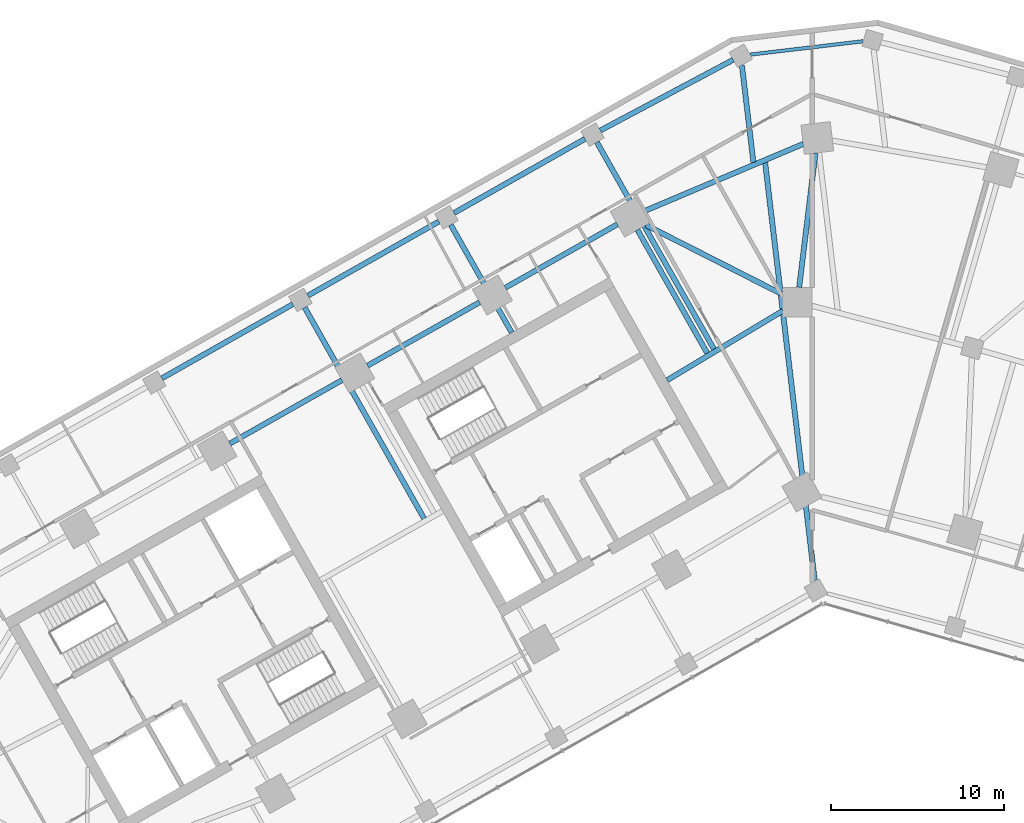
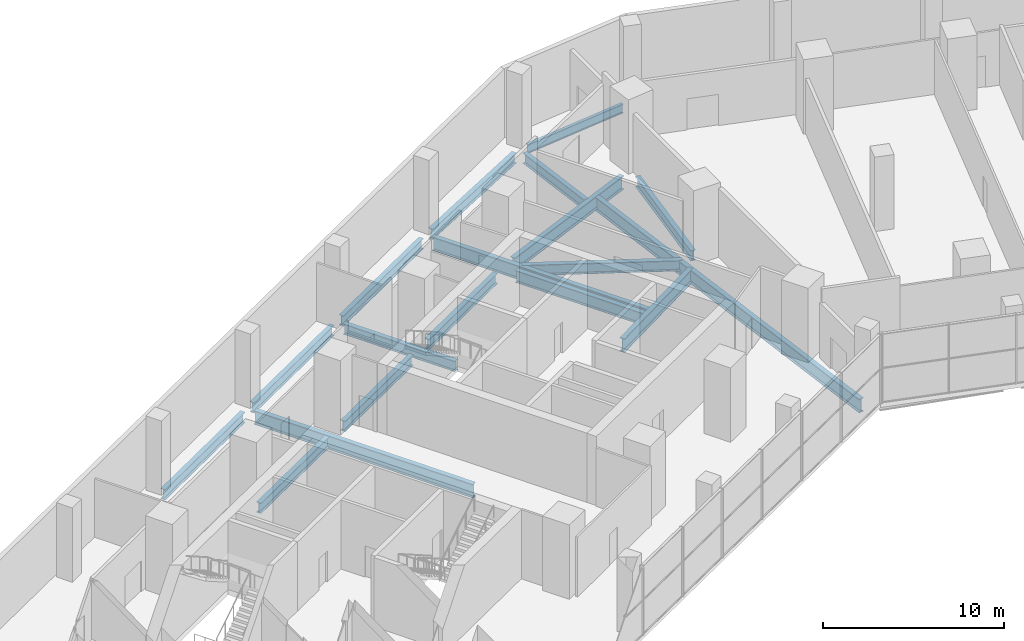
# One storey, part 4 of 15: 18 beams.
"""IFC4 building model written with IfcOpenShell, lengths in metres."""

from ifc_helpers import new_model, si_unit, direction, frame, origin, origin_2d, place, context, subcontext, project, spatial, i_section, extrude, material, material_profile, profile_set, type_object, element, save


model = new_model("IFC4")

# Units and contexts
model_context = context("Model", 3, precision=1e-05, world=origin(), true_north=direction((0.0, 1.0)))
body_context = subcontext(model_context, "Body", "Model", "MODEL_VIEW")
ifc_project = project(units=[si_unit("LENGTHUNIT", "METRE"), si_unit("AREAUNIT", "SQUARE_METRE"), si_unit("VOLUMEUNIT", "CUBIC_METRE"), si_unit("PLANEANGLEUNIT", "RADIAN"), si_unit("MASSUNIT", "GRAM", prefix="KILO")], contexts=[model_context])

# Site, building, storey
site_placement = place(None, origin())
site = spatial("IfcSite", under=ifc_project, at=site_placement, CompositionType="ELEMENT")
building_placement = place(site_placement, origin())
building = spatial("IfcBuilding", under=site, at=building_placement, Name="Binnacle Exchange Tower", CompositionType="ELEMENT")
storey_placement = place(building_placement, frame((0.0, 0.0, 16.5)))
storey = spatial("IfcBuildingStorey", under=building, at=storey_placement, Name="L03", CompositionType="ELEMENT", Elevation=16.5)

# Beams
ifc_material = material(Name="Steel S355 (SHN355)", Category="steel")
ifc_material_profile_1 = material_profile(ifc_material, i_section(OverallWidth=0.200927734375, OverallDepth=0.60595703125, WebThickness=0.011962890625, FlangeThickness=0.02001953125, FilletRadius=0.02197265625, at=origin_2d()), Name="H 606x201x12x20")
ifc_profile_set_1 = profile_set([ifc_material_profile_1], Name="Steel S355 (SHN355)")
beam_type_1 = type_object("IfcBeamType", Name="Edge girder H 606x201x12x20 Steel S355 (SHN355)", PredefinedType="SPANDREL", material=ifc_profile_set_1)
beam_1_placement = place(storey_placement, frame((-3.577392578125, 74.2734375, -0.653076171875), z_axis=(0.993065632937, 0.117561255009, 0.0), x_axis=(-0.117561255009, 0.993065632937, 0.0)))
element("IfcBeam", 1, at=beam_1_placement, inside=storey, type_object=beam_type_1, Name="S:BM:edge:L03:042", PredefinedType="SPANDREL", context=body_context, shape_type="SweptSolid", body=[
    extrude(i_section(OverallWidth=0.200927734375, OverallDepth=0.60595703125, WebThickness=0.011962890625, FlangeThickness=0.02001953125, FilletRadius=0.02197265625, at=origin_2d()), origin(), (0.0, 0.0, 1.0), 6.57080078125),
])
ifc_material_profile_2 = material_profile(ifc_material, i_section(OverallWidth=0.300048828125, OverallDepth=0.699951171875, WebThickness=0.012939453125, FlangeThickness=0.02392578125, FilletRadius=0.028076171875, at=origin_2d()), Name="H 700x300x13x24")
ifc_profile_set_2 = profile_set([ifc_material_profile_2], Name="Steel S355 (SHN355)")
beam_type_2 = type_object("IfcBeamType", Name="Edge girder H 700x300x13x24 Steel S355 (SHN355)", PredefinedType="SPANDREL", material=ifc_profile_set_2)
for number, where, z_axis, x_axis, name in (
    (2, (-37.517333984375, 55.59912109375, -0.699951171875), (0.870339162406, 0.492452781881, 0.0), (-0.492452781881, 0.870339162406, 0.0), "S:BM:edge:L03:026"),
    (3, (-29.089111328125, 60.367919921875, -0.699951171875), (0.870358029477, 0.492419435567, 0.0), (-0.492419435567, 0.870358029477, 0.0), "S:BM:edge:L03:030"),
):
    element("IfcBeam", number, at=place(storey_placement, frame(where, z_axis=z_axis, x_axis=x_axis)), inside=storey, type_object=beam_type_2, Name=name, PredefinedType="SPANDREL", context=body_context, shape_type="SweptSolid", body=[
        extrude(i_section(OverallWidth=0.300048828125, OverallDepth=0.699951171875, WebThickness=0.012939453125, FlangeThickness=0.02392578125, FilletRadius=0.028076171875, at=origin_2d()), origin(), (0.0, 0.0, 1.0), 8.683837890625),
    ])
beam_2_placement = place(storey_placement, frame((-27.12744140625, 55.49169921875, -0.699951171875), z_axis=(-0.870350394687, -0.492432929919, 0.0), x_axis=(0.492432929919, -0.870350394687, 0.0)))
element("IfcBeam", 4, at=beam_2_placement, inside=storey, type_object=beam_type_2, Name="S:BM:edge:L03:031", PredefinedType="SPANDREL", context=body_context, shape_type="SweptSolid", body=[
    extrude(i_section(OverallWidth=0.300048828125, OverallDepth=0.699951171875, WebThickness=0.012939453125, FlangeThickness=0.02392578125, FilletRadius=0.028076171875, at=origin_2d()), origin(), (0.0, 0.0, 1.0), 7.429931640625),
])
beam_3_placement = place(storey_placement, frame((-20.66064453125, 65.136474609375, -0.699951171875), z_axis=(0.870358029477, 0.492419435567, 0.0), x_axis=(-0.492419435567, 0.870358029477, 0.0)))
element("IfcBeam", 5, at=beam_3_placement, inside=storey, type_object=beam_type_2, Name="S:BM:edge:L03:034", PredefinedType="SPANDREL", context=body_context, shape_type="SweptSolid", body=[
    extrude(i_section(OverallWidth=0.300048828125, OverallDepth=0.699951171875, WebThickness=0.012939453125, FlangeThickness=0.02392578125, FilletRadius=0.028076171875, at=origin_2d()), origin(), (0.0, 0.0, 1.0), 8.683837890625),
])
beam_4_placement = place(storey_placement, frame((-19.18115234375, 59.9873046875, -0.699951171875), z_axis=(-0.870364477798, -0.492408037898, 0.0), x_axis=(0.492408037898, -0.870364477798, 0.0)))
element("IfcBeam", 6, at=beam_4_placement, inside=storey, type_object=beam_type_2, Name="S:BM:edge:L03:035", PredefinedType="SPANDREL", context=body_context, shape_type="SweptSolid", body=[
    extrude(i_section(OverallWidth=0.300048828125, OverallDepth=0.699951171875, WebThickness=0.012939453125, FlangeThickness=0.02392578125, FilletRadius=0.028076171875, at=origin_2d()), origin(), (0.0, 0.0, 1.0), 7.4296875),
])
beam_5_placement = place(storey_placement, frame((-12.225830078125, 69.893798828125, -0.699951171875), z_axis=(0.882784358994, 0.469778432365, 0.0), x_axis=(-0.469778432365, 0.882784358994, 0.0)))
element("IfcBeam", 7, at=beam_5_placement, inside=storey, type_object=beam_type_2, Name="S:BM:edge:L03:038", PredefinedType="SPANDREL", context=body_context, shape_type="SweptSolid", body=[
    extrude(i_section(OverallWidth=0.300048828125, OverallDepth=0.699951171875, WebThickness=0.012939453125, FlangeThickness=0.02392578125, FilletRadius=0.028076171875, at=origin_2d()), origin(), (0.0, 0.0, 1.0), 8.686767578125),
])
beam_6_placement = place(storey_placement, frame((-11.23486328125, 64.483154296875, -0.699951171875), z_axis=(-0.870364477798, -0.492408037898, 0.0), x_axis=(0.492408037898, -0.870364477798, 0.0)))
element("IfcBeam", 8, at=beam_6_placement, inside=storey, type_object=beam_type_2, Name="S:BM:edge:L03:039", PredefinedType="SPANDREL", context=body_context, shape_type="SweptSolid", body=[
    extrude(i_section(OverallWidth=0.300048828125, OverallDepth=0.699951171875, WebThickness=0.012939453125, FlangeThickness=0.02392578125, FilletRadius=0.028076171875, at=origin_2d()), origin(), (0.0, 0.0, 1.0), 7.4296875),
])
ifc_material_profile_3 = material_profile(ifc_material, i_section(OverallWidth=0.302978515625, OverallDepth=0.91796875, WebThickness=0.01904296875, FlangeThickness=0.037109375, FilletRadius=0.028076171875, at=origin_2d()), Name="H 918x303x19x37")
ifc_profile_set_3 = profile_set([ifc_material_profile_3], Name="Steel S355 (SHN355)")
beam_type_3 = type_object("IfcBeamType", Name="Edge girder H 918x303x19x37 Steel S355 (SHN355)", PredefinedType="SPANDREL", material=ifc_profile_set_3)
beam_7_placement = place(storey_placement, frame((-0.51513671875, 69.11962890625, -0.80908203125), z_axis=(-0.921111373297, -0.389299162578, 0.0), x_axis=(0.389299162578, -0.921111373297, 0.0)))
element("IfcBeam", 9, at=beam_7_placement, inside=storey, type_object=beam_type_3, Name="S:BM:edge:L03:043", PredefinedType="SPANDREL", context=body_context, shape_type="SweptSolid", body=[
    extrude(i_section(OverallWidth=0.302978515625, OverallDepth=0.91796875, WebThickness=0.01904296875, FlangeThickness=0.037109375, FilletRadius=0.028076171875, at=origin_2d()), origin(), (0.0, 0.0, 1.0), 9.978759765625),
])
ifc_material_profile_4 = material_profile(ifc_material, i_section(OverallWidth=0.300048828125, OverallDepth=0.699951171875, WebThickness=0.012939453125, FlangeThickness=0.02392578125, FilletRadius=0.028076171875, at=origin_2d()), Name="H 700x300x13x24")
ifc_profile_set_4 = profile_set([ifc_material_profile_4], Name="Steel S355 (SHN355)")
beam_type_4 = type_object("IfcBeamType", Name="Floor beam H 700x300x13x24 Steel S355 (SHN355)", PredefinedType="BEAM", material=ifc_profile_set_4)
beam_8_placement = place(storey_placement, frame((-20.849609375, 64.455078125, -0.699951171875), z_axis=(0.492432183245, -0.870350817145, 0.0), x_axis=(0.870350817145, 0.492432183245, 0.0)))
element("IfcBeam", 10, at=beam_8_placement, inside=storey, type_object=beam_type_4, Name="S:BM:cross:L03:094", PredefinedType="BEAM", context=body_context, shape_type="SweptSolid", body=[
    extrude(i_section(OverallWidth=0.300048828125, OverallDepth=0.699951171875, WebThickness=0.012939453125, FlangeThickness=0.02392578125, FilletRadius=0.028076171875, at=origin_2d()), origin(), (0.0, 0.0, 1.0), 7.144287109375),
])
beam_9_placement = place(storey_placement, frame((-4.05224609375, 73.67138671875, -0.699951171875), z_axis=(0.117558403609, -0.993065970488, 0.0), x_axis=(0.993065970488, 0.117558403609, 0.0)))
element("IfcBeam", 11, at=beam_9_placement, inside=storey, type_object=beam_type_4, Name="S:BM:cross:L03:101", PredefinedType="BEAM", context=body_context, shape_type="SweptSolid", body=[
    extrude(i_section(OverallWidth=0.300048828125, OverallDepth=0.699951171875, WebThickness=0.012939453125, FlangeThickness=0.02392578125, FilletRadius=0.028076171875, at=origin_2d()), origin(), (0.0, 0.0, 1.0), 5.648681640625),
])
ifc_material_profile_5 = material_profile(ifc_material, i_section(OverallWidth=0.302001953125, OverallDepth=0.80810546875, WebThickness=0.01611328125, FlangeThickness=0.030029296875, FilletRadius=0.028076171875, at=origin_2d()), Name="H 808x302x16x30")
ifc_profile_set_5 = profile_set([ifc_material_profile_5], Name="Steel S355 (SHN355)")
beam_type_5 = type_object("IfcBeamType", Name="Floor beam H 808x302x16x30 Steel S355 (SHN355)", PredefinedType="BEAM", material=ifc_profile_set_5)
beam_10_placement = place(storey_placement, frame((-10.076416015625, 64.161865234375, -0.75390625), z_axis=(0.492410737926, -0.870362950254, 0.0), x_axis=(0.870362950254, 0.492410737926, 0.0)))
element("IfcBeam", 12, at=beam_10_placement, inside=storey, type_object=beam_type_5, Name="S:BM:cross:L03:098", PredefinedType="BEAM", context=body_context, shape_type="SweptSolid", body=[
    extrude(i_section(OverallWidth=0.302001953125, OverallDepth=0.80810546875, WebThickness=0.01611328125, FlangeThickness=0.030029296875, FilletRadius=0.028076171875, at=origin_2d()), origin(), (0.0, 0.0, 1.0), 8.16943359375),
])
ifc_material_profile_6 = material_profile(ifc_material, i_section(OverallWidth=0.302978515625, OverallDepth=0.91796875, WebThickness=0.01904296875, FlangeThickness=0.037109375, FilletRadius=0.028076171875, at=origin_2d()), Name="H 918x303x19x37")
ifc_profile_set_6 = profile_set([ifc_material_profile_6], Name="Steel S355 (SHN355)")
beam_type_6 = type_object("IfcBeamType", Name="Floor beam H 918x303x19x37 Steel S355 (SHN355)", PredefinedType="BEAM", material=ifc_profile_set_6)
beam_11_placement = place(storey_placement, frame((-29.278076171875, 59.686279296875, -0.80908203125), z_axis=(0.492433176399, -0.870350255232, 0.0), x_axis=(0.870350255232, 0.492433176399, 0.0)))
element("IfcBeam", 13, at=beam_11_placement, inside=storey, type_object=beam_type_6, Name="S:BM:cross:L03:090", PredefinedType="BEAM", context=body_context, shape_type="SweptSolid", body=[
    extrude(i_section(OverallWidth=0.302978515625, OverallDepth=0.91796875, WebThickness=0.01904296875, FlangeThickness=0.037109375, FilletRadius=0.028076171875, at=origin_2d()), origin(), (0.0, 0.0, 1.0), 13.993896484375),
])
beam_12_placement = place(storey_placement, frame((-12.421142578125, 69.223388671875, -0.80908203125), z_axis=(0.492429600636, -0.870352278344, 0.0), x_axis=(0.870352278344, 0.492429600636, 0.0)))
element("IfcBeam", 14, at=beam_12_placement, inside=storey, type_object=beam_type_6, Name="S:BM:cross:L03:097", PredefinedType="BEAM", context=body_context, shape_type="SweptSolid", body=[
    extrude(i_section(OverallWidth=0.302978515625, OverallDepth=0.91796875, WebThickness=0.01904296875, FlangeThickness=0.037109375, FilletRadius=0.028076171875, at=origin_2d()), origin(), (0.0, 0.0, 1.0), 13.718017578125),
])
beam_13_placement = place(storey_placement, frame((0.15478515625, 43.893798828125, -0.80908203125), z_axis=(-0.117868429999, 0.993029220723, 0.0), x_axis=(-0.993029220723, -0.117868429999, 0.0)))
element("IfcBeam", 15, at=beam_13_placement, inside=storey, type_object=beam_type_6, Name="S:BM:cross:L03:102", PredefinedType="BEAM", context=body_context, shape_type="SweptSolid", body=[
    extrude(i_section(OverallWidth=0.302978515625, OverallDepth=0.91796875, WebThickness=0.01904296875, FlangeThickness=0.037109375, FilletRadius=0.028076171875, at=origin_2d()), origin(), (0.0, 0.0, 1.0), 24.310791015625),
])
ifc_material_profile_7 = material_profile(ifc_material, i_section(OverallWidth=0.300048828125, OverallDepth=0.699951171875, WebThickness=0.012939453125, FlangeThickness=0.02392578125, FilletRadius=0.028076171875, at=origin_2d()), Name="H 700x300x13x24")
ifc_profile_set_7 = profile_set([ifc_material_profile_7], Name="Steel S355 (SHN355)")
beam_type_7 = type_object("IfcBeamType", Name="Spine girder H 700x300x13x24 Steel S355 (SHN355)", PredefinedType="BEAM", material=ifc_profile_set_7)
beam_14_placement = place(storey_placement, frame((-0.74658203125, 60.85009765625, -0.699951171875), z_axis=(0.120621974738, 0.992698513755, 0.0), x_axis=(-0.992698513755, 0.120621974738, 0.0)))
element("IfcBeam", 16, at=beam_14_placement, inside=storey, type_object=beam_type_7, Name="S:BM:spine:L03:005", PredefinedType="BEAM", context=body_context, shape_type="SweptSolid", body=[
    extrude(i_section(OverallWidth=0.300048828125, OverallDepth=0.699951171875, WebThickness=0.012939453125, FlangeThickness=0.02392578125, FilletRadius=0.028076171875, at=origin_2d()), origin(), (0.0, 0.0, 1.0), 7.802490234375),
])
ifc_material_profile_8 = material_profile(ifc_material, i_section(OverallWidth=0.302001953125, OverallDepth=0.7080078125, WebThickness=0.014892578125, FlangeThickness=0.028076171875, FilletRadius=0.028076171875, at=origin_2d()), Name="H 708x302x15x28")
ifc_profile_set_8 = profile_set([ifc_material_profile_8], Name="Steel S355 (SHN355)")
beam_type_8 = type_object("IfcBeamType", Name="Spine girder H 708x302x15x28 Steel S355 (SHN355)", PredefinedType="BEAM", material=ifc_profile_set_8)
beam_15_placement = place(storey_placement, frame((-1.699951171875, 60.431884765625, -0.7041015625), z_axis=(-0.891471296315, 0.45307717648, 0.0), x_axis=(-0.45307717648, -0.891471296315, 0.0)))
element("IfcBeam", 17, at=beam_15_placement, inside=storey, type_object=beam_type_8, Name="S:BM:spine:L03:004", PredefinedType="BEAM", context=body_context, shape_type="SweptSolid", body=[
    extrude(i_section(OverallWidth=0.302001953125, OverallDepth=0.7080078125, WebThickness=0.014892578125, FlangeThickness=0.028076171875, FilletRadius=0.028076171875, at=origin_2d()), origin(), (0.0, 0.0, 1.0), 8.845703125),
])
ifc_material_profile_9 = material_profile(ifc_material, i_section(OverallWidth=0.302978515625, OverallDepth=0.91796875, WebThickness=0.01904296875, FlangeThickness=0.037109375, FilletRadius=0.028076171875, at=origin_2d()), Name="H 918x303x19x37")
ifc_profile_set_9 = profile_set([ifc_material_profile_9], Name="Steel S355 (SHN355)")
beam_type_9 = type_object("IfcBeamType", Name="Spine girder H 918x303x19x37 Steel S355 (SHN355)", PredefinedType="BEAM", material=ifc_profile_set_9)
beam_16_placement = place(storey_placement, frame((-8.36328125, 55.489990234375, -0.80908203125), z_axis=(0.857393122678, 0.514662057261, 0.0), x_axis=(-0.514662057261, 0.857393122678, 0.0)))
element("IfcBeam", 18, at=beam_16_placement, inside=storey, type_object=beam_type_9, Name="S:BM:spine:L03:003", PredefinedType="BEAM", context=body_context, shape_type="SweptSolid", body=[
    extrude(i_section(OverallWidth=0.302978515625, OverallDepth=0.91796875, WebThickness=0.01904296875, FlangeThickness=0.037109375, FilletRadius=0.028076171875, at=origin_2d()), origin(), (0.0, 0.0, 1.0), 7.771728515625),
])

save(model, "model.ifc")
